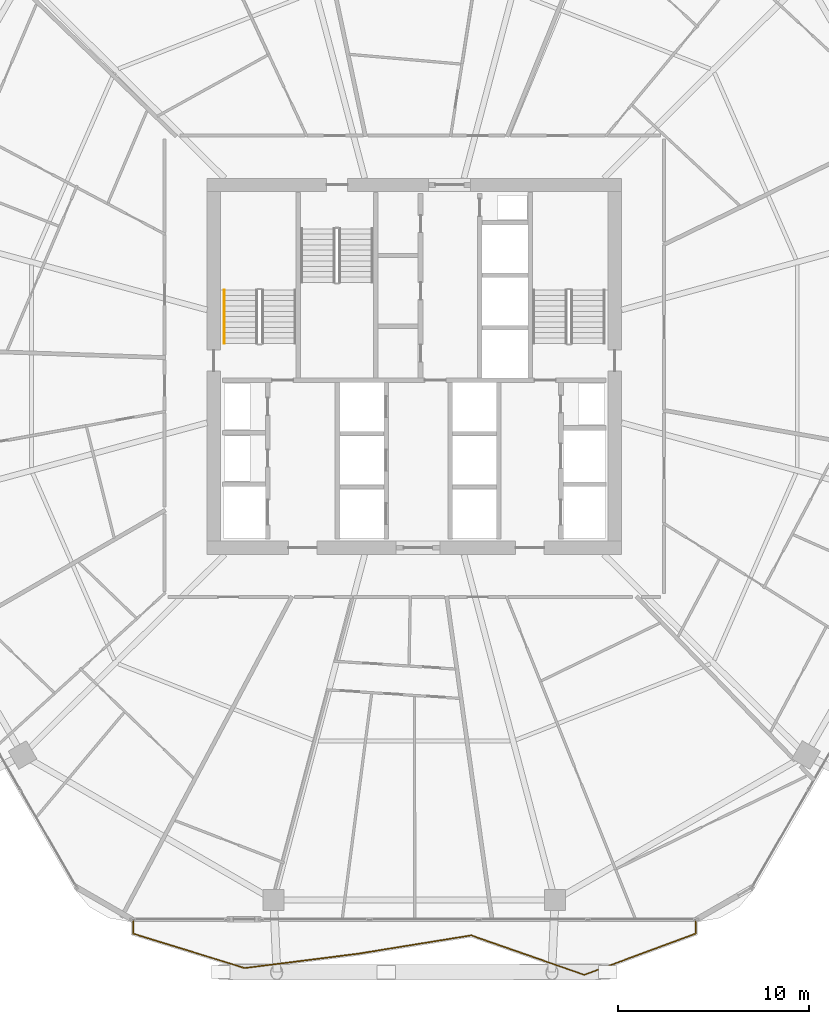
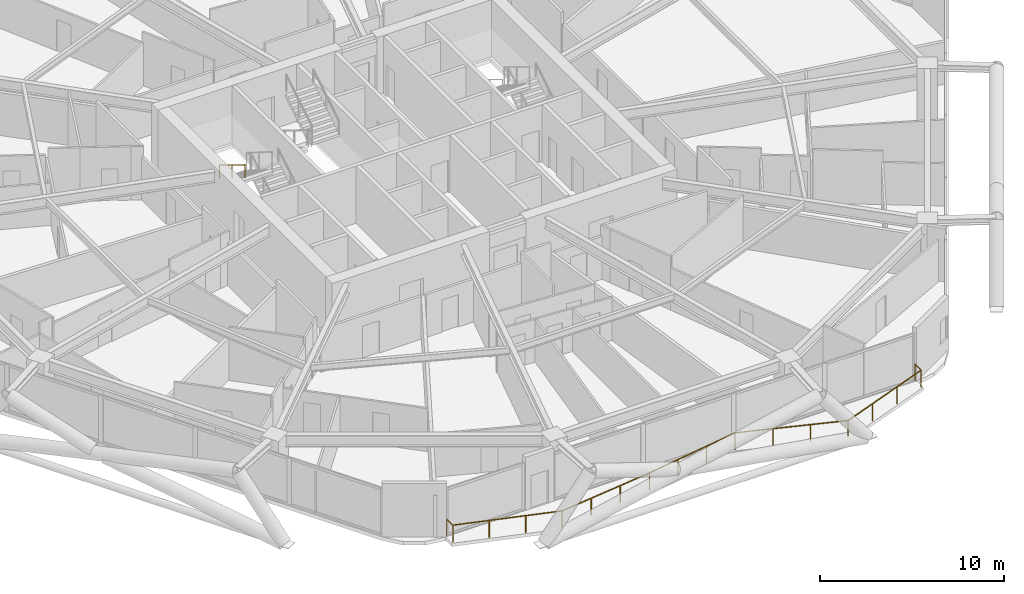
# One storey, part 33 of 35: 2 railings.
"""IFC4 building model written with IfcOpenShell, lengths in metres."""

from ifc_helpers import new_model, si_unit, direction, frame, origin, origin_2d, place, context, subcontext, project, spatial, rectangle, extrude, material, type_object, element, save


model = new_model("IFC4")

# Units and contexts
model_context = context("Model", 3, precision=1e-05, world=origin(), true_north=direction((0.0, 1.0)))
body_context = subcontext(model_context, "Body", "Model", "MODEL_VIEW")
ifc_project = project(units=[si_unit("LENGTHUNIT", "METRE"), si_unit("AREAUNIT", "SQUARE_METRE"), si_unit("VOLUMEUNIT", "CUBIC_METRE"), si_unit("PLANEANGLEUNIT", "RADIAN"), si_unit("MASSUNIT", "GRAM", prefix="KILO")], contexts=[model_context])

# Site, building, storey
site_placement = place(None, origin())
site = spatial("IfcSite", under=ifc_project, at=site_placement, CompositionType="ELEMENT")
building_placement = place(site_placement, origin())
building = spatial("IfcBuilding", under=site, at=building_placement, Name="Zuhravey Tower", CompositionType="ELEMENT")
storey_placement = place(building_placement, frame((0.0, 0.0, 138.0)))
storey = spatial("IfcBuildingStorey", under=building, at=storey_placement, Name="L34", CompositionType="ELEMENT", Elevation=138.0)

# Railings
ifc_material_1 = material(Name="Stainless steel 316 and laminated glass", Category="steel")
railing_type_1 = type_object("IfcRailingType", Name="Balcony & Terrace Guardrail 1150", PredefinedType="BALUSTRADE", material=ifc_material_1)
railing_1_placement = place(storey_placement, frame((50.728271484375, 2.95654296875, 0.0)))
element("IfcRailing", 1, at=railing_1_placement, inside=storey, type_object=railing_type_1, Name="L34 Face 5 Wave Balcony Guardrail GR1", PredefinedType="BALUSTRADE", context=body_context, shape_type="SweptSolid", body=[
    extrude(rectangle(XDim=0.048095703125, YDim=0.048095703125, at=origin_2d()), frame((0.0, -0.001953125, 1.1259765625), z_axis=(0.0, -1.0, 0.0), x_axis=(1.0, 0.0, 0.0)), (0.0, 0.0, 1.0), 0.66650390625),
    extrude(rectangle(XDim=0.048095703125, YDim=0.048095703125, at=origin_2d()), frame((-0.001953125, -0.671142578125, 1.1259765625), z_axis=(-0.937937592562, -0.346804083683, 0.0), x_axis=(0.346804083683, -0.937937592562, 0.0)), (0.0, 0.0, 1.0), 6.214111328125),
    extrude(rectangle(XDim=0.048095703125, YDim=0.048095703125, at=origin_2d()), frame((-5.834228515625, -2.826171875, 1.1259765625), z_axis=(-0.94403904665, 0.329833713256, 0.0), x_axis=(-0.329833713256, -0.94403904665, 0.0)), (0.0, 0.0, 1.0), 6.268310546875),
    extrude(rectangle(XDim=0.048095703125, YDim=0.048095703125, at=origin_2d()), frame((-11.755615234375, -0.75830078125, 1.1259765625), z_axis=(-0.987080751481, -0.160223562735, 0.0), x_axis=(0.160223562735, -0.987080751481, 0.0)), (0.0, 0.0, 1.0), 6.028564453125),
    extrude(rectangle(XDim=0.048095703125, YDim=0.048095703125, at=origin_2d()), frame((-17.710205078125, -1.724853515625, 1.1259765625), z_axis=(-0.992141040088, -0.125124564229, 0.0), x_axis=(0.125124564229, -0.992141040088, 0.0)), (0.0, 0.0, 1.0), 5.950927734375),
    extrude(rectangle(XDim=0.048095703125, YDim=0.048095703125, at=origin_2d()), frame((-23.618408203125, -2.46923828125, 1.1259765625), z_axis=(-0.95547883129, 0.295059659995, 0.0), x_axis=(-0.295059659995, -0.95547883129, 0.0)), (0.0, 0.0, 1.0), 6.108154296875),
    extrude(rectangle(XDim=0.048095703125, YDim=0.048095703125, at=origin_2d()), frame((-29.45654296875, -0.664306640625, 1.1259765625), z_axis=(0.0, 1.0, 0.0), x_axis=(-1.0, 0.0, 0.0)), (0.0, 0.0, 1.0), 0.662353515625),
    extrude(rectangle(XDim=0.0419921875, YDim=0.0419921875, at=origin_2d()), origin(), (0.0, 0.0, 1.0), 1.099853515625),
    extrude(rectangle(XDim=0.0419921875, YDim=0.0419921875, at=origin_2d()), frame((0.0, -0.67041015625, 0.0)), (0.0, 0.0, 1.0), 1.099853515625),
    extrude(rectangle(XDim=0.0419921875, YDim=0.0419921875, at=origin_2d()), frame((-1.944091796875, -1.38916015625, 0.0)), (0.0, 0.0, 1.0), 1.099853515625),
    extrude(rectangle(XDim=0.0419921875, YDim=0.0419921875, at=origin_2d()), frame((-3.88818359375, -2.108154296875, 0.0)), (0.0, 0.0, 1.0), 1.099853515625),
    extrude(rectangle(XDim=0.0419921875, YDim=0.0419921875, at=origin_2d()), frame((-5.832275390625, -2.826904296875, 0.0)), (0.0, 0.0, 1.0), 1.099853515625),
    extrude(rectangle(XDim=0.0419921875, YDim=0.0419921875, at=origin_2d()), frame((-7.80615234375, -2.13720703125, 0.0)), (0.0, 0.0, 1.0), 1.099853515625),
    extrude(rectangle(XDim=0.0419921875, YDim=0.0419921875, at=origin_2d()), frame((-9.77978515625, -1.44775390625, 0.0)), (0.0, 0.0, 1.0), 1.099853515625),
    extrude(rectangle(XDim=0.0419921875, YDim=0.0419921875, at=origin_2d()), frame((-11.753662109375, -0.758056640625, 0.0)), (0.0, 0.0, 1.0), 1.099853515625),
    extrude(rectangle(XDim=0.0419921875, YDim=0.0419921875, at=origin_2d()), frame((-13.738525390625, -1.080322265625, 0.0)), (0.0, 0.0, 1.0), 1.099853515625),
    extrude(rectangle(XDim=0.0419921875, YDim=0.0419921875, at=origin_2d()), frame((-15.723388671875, -1.40234375, 0.0)), (0.0, 0.0, 1.0), 1.099853515625),
    extrude(rectangle(XDim=0.0419921875, YDim=0.0419921875, at=origin_2d()), frame((-17.708251953125, -1.724609375, 0.0)), (0.0, 0.0, 1.0), 1.099853515625),
    extrude(rectangle(XDim=0.0419921875, YDim=0.0419921875, at=origin_2d()), frame((-19.677734375, -1.972900390625, 0.0)), (0.0, 0.0, 1.0), 1.099853515625),
    extrude(rectangle(XDim=0.0419921875, YDim=0.0419921875, at=origin_2d()), frame((-21.64697265625, -2.221435546875, 0.0)), (0.0, 0.0, 1.0), 1.099853515625),
    extrude(rectangle(XDim=0.0419921875, YDim=0.0419921875, at=origin_2d()), frame((-23.616455078125, -2.4697265625, 0.0)), (0.0, 0.0, 1.0), 1.099853515625),
    extrude(rectangle(XDim=0.0419921875, YDim=0.0419921875, at=origin_2d()), frame((-25.563232421875, -1.86865234375, 0.0)), (0.0, 0.0, 1.0), 1.099853515625),
    extrude(rectangle(XDim=0.0419921875, YDim=0.0419921875, at=origin_2d()), frame((-27.509765625, -1.267333984375, 0.0)), (0.0, 0.0, 1.0), 1.099853515625),
    extrude(rectangle(XDim=0.0419921875, YDim=0.0419921875, at=origin_2d()), frame((-29.45654296875, -0.666259765625, 0.0)), (0.0, 0.0, 1.0), 1.099853515625),
    extrude(rectangle(XDim=0.0419921875, YDim=0.0419921875, at=origin_2d()), frame((-29.45654296875, 0.0, 0.0)), (0.0, 0.0, 1.0), 1.099853515625),
])
ifc_material_2 = material(Name="Brushed stainless steel", Category="steel")
railing_type_2 = type_object("IfcRailingType", Name="Stair Wall Handrail 900", PredefinedType="HANDRAIL", material=ifc_material_2)
railing_2_placement = place(storey_placement, frame((26.050048828125, 36.0, 2.07275390625)))
element("IfcRailing", 2, at=railing_2_placement, inside=storey, type_object=railing_type_2, Name="L34 ST1 stair handrail 2", PredefinedType="HANDRAIL", context=body_context, shape_type="SweptSolid", body=[
    extrude(rectangle(XDim=0.048095703125, YDim=0.048095703125, at=origin_2d()), frame((0.0, -0.001708984375, 0.876953125), z_axis=(0.0, -0.851089632645, 0.525020415988), x_axis=(1.0, 0.0, 0.0)), (0.0, 0.0, 1.0), 3.285888671875),
    extrude(rectangle(XDim=0.0419921875, YDim=0.0419921875, at=origin_2d()), origin(), (0.0, 0.0, 1.0), 0.849853515625),
    extrude(rectangle(XDim=0.0419921875, YDim=0.0419921875, at=origin_2d()), frame((0.0, -1.39990234375, 0.86376953125)), (0.0, 0.0, 1.0), 0.849853515625),
    extrude(rectangle(XDim=0.0419921875, YDim=0.0419921875, at=origin_2d()), frame((0.0, -2.800048828125, 1.727294921875)), (0.0, 0.0, 1.0), 0.849853515625),
])

save(model, "model.ifc")
